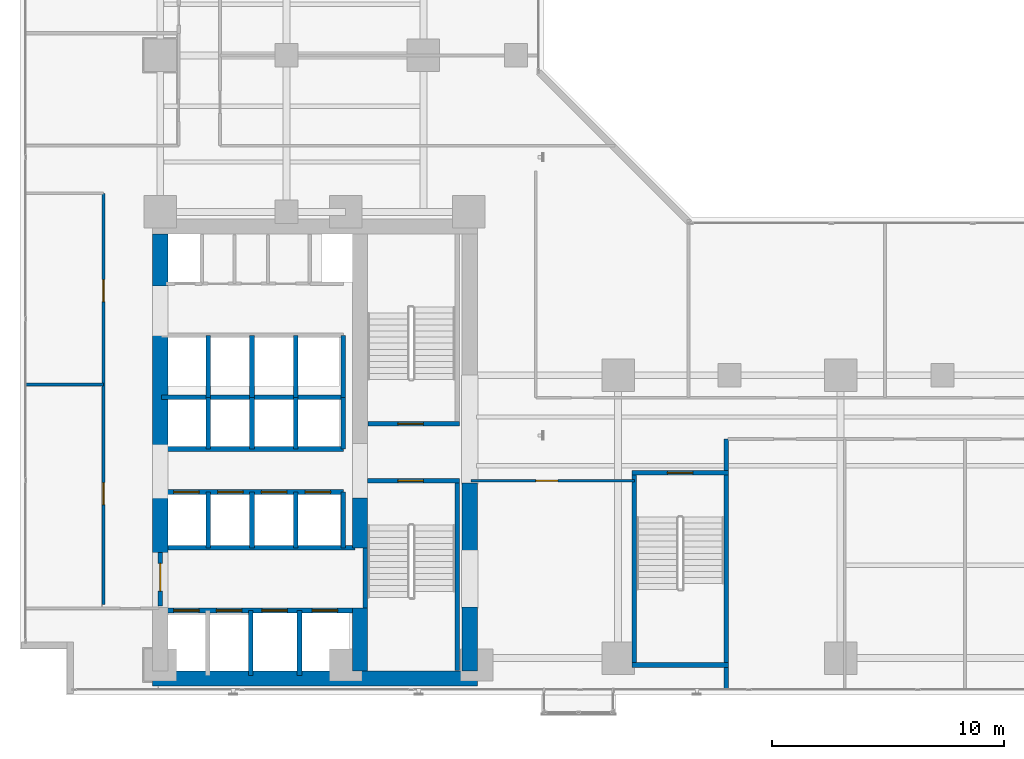
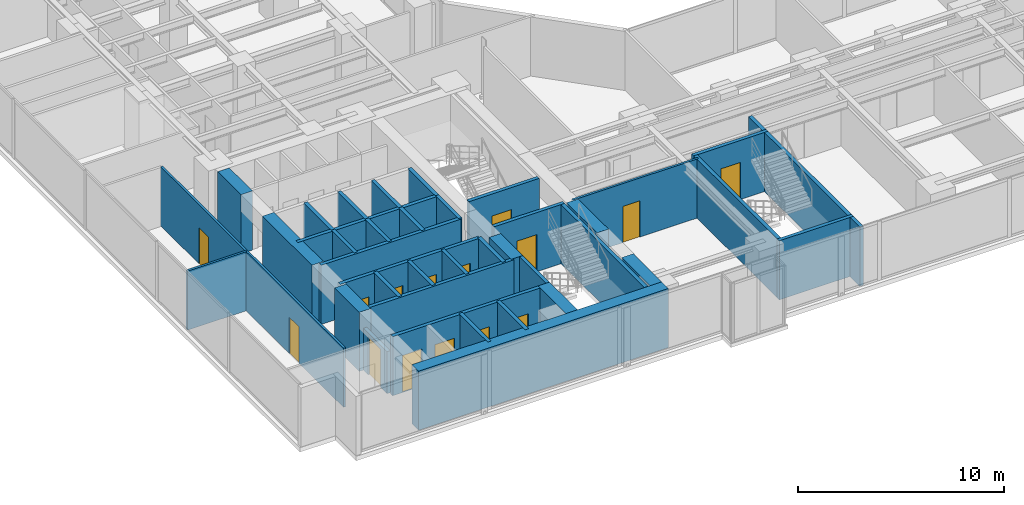
# One storey, part 19 of 25: 39 walls, 15 doors, 15 openings.
"""IFC4 building model written with IfcOpenShell, lengths in metres."""

from ifc_helpers import new_model, si_unit, direction, frame, frame_2d, origin, place, context, subcontext, project, spatial, rectangle, extrude, material, layer, layer_set, type_object, element, fill, save


model = new_model("IFC4")

# Units and contexts
model_context = context("Model", 3, precision=1e-05, world=origin(), true_north=direction((0.0, 1.0)))
body_context = subcontext(model_context, "Body", "Model", "MODEL_VIEW")
ifc_project = project(units=[si_unit("LENGTHUNIT", "METRE"), si_unit("AREAUNIT", "SQUARE_METRE"), si_unit("VOLUMEUNIT", "CUBIC_METRE"), si_unit("PLANEANGLEUNIT", "RADIAN"), si_unit("MASSUNIT", "GRAM", prefix="KILO")], contexts=[model_context])

# Site, building, storey
site_placement = place(None, origin())
site = spatial("IfcSite", under=ifc_project, at=site_placement, CompositionType="ELEMENT")
building_placement = place(site_placement, origin())
building = spatial("IfcBuilding", under=site, at=building_placement, Name="Kolvaren Waterfront Exchange", CompositionType="ELEMENT")
storey_placement = place(building_placement, frame((0.0, 0.0, 106.89990234375)))
storey = spatial("IfcBuildingStorey", under=building, at=storey_placement, Name="L27", CompositionType="ELEMENT", Elevation=106.89990234375)

# Wall, opening, door
ifc_material_1 = material(Name="Precast concrete C40/50", Category="concrete")
ifc_layer_1 = layer(ifc_material_1, 0.199951171875, Name="Precast concrete C40/50")
ifc_layer_set_1 = layer_set([ifc_layer_1], Name="Precast concrete C40/50")
wall_type_1 = type_object("IfcWallType", Name="ARC-FIRE-200", PredefinedType="PARTITIONING", material=ifc_layer_set_1)
wall_1_placement = place(storey_placement, frame((16.39990234375, 12.85009765625, 0.0), z_axis=(0.0, 0.0, 1.0), x_axis=(1.0, 0.0, 0.0)))
wall_1 = element("IfcWall", 1, at=wall_1_placement, inside=storey, type_object=wall_type_1, Name="L27 interior wall PW-L27-ST1-THROAT-S", PredefinedType="PARTITIONING", context=body_context, shape_type="SweptSolid", body=[
    extrude(rectangle(XDim=3.960205078125, YDim=0.199951171875, at=frame_2d((1.97998046875, 0.0))), origin(), (0.0, 0.0, 1.0), 3.5),
])
opening_1_placement = place(wall_1_placement, frame((1.3037109375, 0.0, 0.0)))
opening_1 = element("IfcOpeningElement", 2, at=opening_1_placement, cuts=wall_1, Name="Opening FD2", PredefinedType="OPENING", context=body_context, shape_type="SweptSolid", body=[
    extrude(rectangle(XDim=1.10009765625, YDim=2.199951171875, at=frame_2d((0.550048828125, 1.10009765625))), frame((0.0, 0.10986328125, 0.0), z_axis=(0.0, -1.0, 0.0), x_axis=(1.0, 0.0, 0.0)), (0.0, 0.0, 1.0), 0.219970703125),
])
ifc_material_2 = material(Name="Pressed steel smoke-seal fire door", Category="steel")
door_type_1 = type_object("IfcDoorType", Name="ARC-FD-1100", OperationType="NOTDEFINED", PredefinedType="DOOR", material=ifc_material_2)
door_1_placement = place(opening_1_placement, frame((1.10009765625, 0.0, 0.0), z_axis=(0.0, 0.0, 1.0), x_axis=(-1.0, 0.0, 0.0)))
door_1 = element("IfcDoor", 3, at=door_1_placement, inside=storey, type_object=door_type_1, Name="L27 door DR-L27-ST1-IN (FD2)", OperationType="SINGLE_SWING_LEFT", OverallHeight=2.199951171875, OverallWidth=1.10009765625, PredefinedType="DOOR", context=body_context, shape_type="SweptSolid", body=[
    extrude(rectangle(XDim=1.10009765625, YDim=2.199951171875, at=frame_2d((0.550048828125, 1.10009765625))), frame((0.0, 0.02490234375, 0.0), z_axis=(0.0, -1.0, 0.0), x_axis=(1.0, 0.0, 0.0)), (0.0, 0.0, 1.0), 0.050048828125),
])
fill(opening_1, door_1)

wall_2_placement = place(storey_placement, frame((16.409912109375, 15.300048828125, 0.0), z_axis=(0.0, 0.0, 1.0), x_axis=(1.0, 0.0, 0.0)))
wall_2 = element("IfcWall", 4, at=wall_2_placement, inside=storey, type_object=wall_type_1, Name="L27 interior wall PW-L27-ST2-THROAT-N", PredefinedType="PARTITIONING", context=body_context, shape_type="SweptSolid", body=[
    extrude(rectangle(XDim=3.9501953125, YDim=0.199951171875, at=frame_2d((1.97509765625, 0.0))), origin(), (0.0, 0.0, 1.0), 3.5),
])
opening_2_placement = place(wall_2_placement, frame((1.293701171875, 0.0, 0.0)))
opening_2 = element("IfcOpeningElement", 5, at=opening_2_placement, cuts=wall_2, Name="Opening FD2", PredefinedType="OPENING", context=body_context, shape_type="SweptSolid", body=[
    extrude(rectangle(XDim=1.10009765625, YDim=2.199951171875, at=frame_2d((0.550048828125, 1.10009765625))), frame((0.0, 0.10986328125, 0.0), z_axis=(0.0, -1.0, 0.0), x_axis=(1.0, 0.0, 0.0)), (0.0, 0.0, 1.0), 0.219970703125),
])
door_2_placement = place(opening_2_placement, origin())
door_2 = element("IfcDoor", 6, at=door_2_placement, inside=storey, type_object=door_type_1, Name="L27 door DR-L27-ST2-IN (FD2)", OperationType="SINGLE_SWING_RIGHT", OverallHeight=2.199951171875, OverallWidth=1.10009765625, PredefinedType="DOOR", context=body_context, shape_type="SweptSolid", body=[
    extrude(rectangle(XDim=1.10009765625, YDim=2.199951171875, at=frame_2d((0.550048828125, 1.10009765625))), frame((0.0, 0.02490234375, 0.0), z_axis=(0.0, -1.0, 0.0), x_axis=(1.0, 0.0, 0.0)), (0.0, 0.0, 1.0), 0.050048828125),
])
fill(opening_2, door_2)

# Wall
wall_3_placement = place(storey_placement, frame((7.5, 9.949951171875, 0.0), z_axis=(0.0, 0.0, 1.0), x_axis=(1.0, 0.0, 0.0)))
element("IfcWall", 7, at=wall_3_placement, inside=storey, type_object=wall_type_1, Name="L27 interior wall PW-L27-FF-N", PredefinedType="PARTITIONING", context=body_context, shape_type="SweptSolid", body=[
    extrude(rectangle(XDim=8.35009765625, YDim=0.199951171875, at=frame_2d((4.175048828125, 0.0))), origin(), (0.0, 0.0, 1.0), 3.5),
])

# Wall, opening, door
wall_4_placement = place(storey_placement, frame((7.449951171875, 7.449951171875, 0.0), z_axis=(0.0, 0.0, 1.0), x_axis=(0.0, 1.0, 0.0)))
wall_4 = element("IfcWall", 8, at=wall_4_placement, inside=storey, type_object=wall_type_1, Name="L27 interior wall PW-L27-FF-W-DOOR", PredefinedType="PARTITIONING", context=body_context, shape_type="SweptSolid", body=[
    extrude(rectangle(XDim=2.300048828125, YDim=0.199951171875, at=frame_2d((1.14990234375, 0.0))), origin(), (0.0, 0.0, 1.0), 2.47998046875),
])
opening_3_placement = place(wall_4_placement, frame((0.63330078125, 0.0, 0.0)))
opening_3 = element("IfcOpeningElement", 9, at=opening_3_placement, cuts=wall_4, Name="Opening FD3", PredefinedType="OPENING", context=body_context, shape_type="SweptSolid", body=[
    extrude(rectangle(XDim=1.199951171875, YDim=2.25, at=frame_2d((0.60009765625, 1.125))), frame((0.0, 0.10986328125, 0.0), z_axis=(0.0, -1.0, 0.0), x_axis=(1.0, 0.0, 0.0)), (0.0, 0.0, 1.0), 0.219970703125),
])
ifc_material_3 = material(Name="Pressed steel fire door", Category="steel")
door_type_2 = type_object("IfcDoorType", Name="ARC-FD-1200", OperationType="NOTDEFINED", PredefinedType="DOOR", material=ifc_material_3)
door_3_placement = place(opening_3_placement, frame((1.199951171875, 0.0, 0.0), z_axis=(0.0, 0.0, 1.0), x_axis=(-1.0, 0.0, 0.0)))
door_3 = element("IfcDoor", 10, at=door_3_placement, inside=storey, type_object=door_type_2, Name="L27 door DR-L27-FF-OUT (FD3)", OperationType="SINGLE_SWING_RIGHT", OverallHeight=2.25, OverallWidth=1.199951171875, PredefinedType="DOOR", context=body_context, shape_type="SweptSolid", body=[
    extrude(rectangle(XDim=1.199951171875, YDim=2.25, at=frame_2d((0.60009765625, 1.125))), frame((0.0, 0.02490234375, 0.0), z_axis=(0.0, -1.0, 0.0), x_axis=(1.0, 0.0, 0.0)), (0.0, 0.0, 1.0), 0.050048828125),
])
fill(opening_3, door_3)

# Wall, openings, doors
ifc_material_4 = material(Name="Acoustic gypsum steel stud", Category="steel")
ifc_layer_2 = layer(ifc_material_4, 0.125, Name="Acoustic gypsum steel stud")
ifc_layer_set_2 = layer_set([ifc_layer_2], Name="Acoustic gypsum steel stud")
wall_type_2 = type_object("IfcWallType", Name="ARC-PART-125", PredefinedType="PARTITIONING", material=ifc_layer_set_2)
wall_5_placement = place(storey_placement, frame((5.0, 7.5, 0.0), z_axis=(0.0, 0.0, 1.0), x_axis=(0.0, 1.0, 0.0)))
wall_5 = element("IfcWall", 11, at=wall_5_placement, inside=storey, type_object=wall_type_2, Name="L27 interior wall PW-L27-WFLANK-E", PredefinedType="PARTITIONING", context=body_context, shape_type="SweptSolid", body=[
    extrude(rectangle(XDim=17.75, YDim=0.125, at=frame_2d((8.875, 0.0))), origin(), (0.0, 0.0, 1.0), 3.5),
])
opening_4_placement = place(wall_5_placement, frame((4.320068359375, 0.0, 0.0)))
opening_4 = element("IfcOpeningElement", 12, at=opening_4_placement, cuts=wall_5, Name="Opening D02", PredefinedType="OPENING", context=body_context, shape_type="SweptSolid", body=[
    extrude(rectangle(XDim=0.949951171875, YDim=2.14990234375, at=frame_2d((0.47509765625, 1.074951171875))), frame((0.0, 0.072509765625, 0.0), z_axis=(0.0, -1.0, 0.0), x_axis=(1.0, 0.0, 0.0)), (0.0, 0.0, 1.0), 0.14501953125),
])
opening_5_placement = place(wall_5_placement, frame((13.078857421875, 0.0, 0.0)))
opening_5 = element("IfcOpeningElement", 13, at=opening_5_placement, cuts=wall_5, Name="Opening D02", PredefinedType="OPENING", context=body_context, shape_type="SweptSolid", body=[
    extrude(rectangle(XDim=0.949951171875, YDim=2.14990234375, at=frame_2d((0.47509765625, 1.074951171875))), frame((0.0, 0.072509765625, 0.0), z_axis=(0.0, -1.0, 0.0), x_axis=(1.0, 0.0, 0.0)), (0.0, 0.0, 1.0), 0.14501953125),
])
ifc_material_5 = material(Name="Oak veneer acoustic timber", Category="wood")
door_type_3 = type_object("IfcDoorType", Name="ARC-DR-950", OperationType="NOTDEFINED", PredefinedType="DOOR", material=ifc_material_5)
door_4_placement = place(opening_4_placement, origin())
door_4 = element("IfcDoor", 14, at=door_4_placement, inside=storey, type_object=door_type_3, Name="L27 door DR-L27-WFL1-D (D02)", OperationType="SINGLE_SWING_RIGHT", OverallHeight=2.14990234375, OverallWidth=0.949951171875, PredefinedType="DOOR", context=body_context, shape_type="SweptSolid", body=[
    extrude(rectangle(XDim=0.949951171875, YDim=2.14990234375, at=frame_2d((0.47509765625, 1.074951171875))), frame((0.0, 0.02490234375, 0.0), z_axis=(0.0, -1.0, 0.0), x_axis=(1.0, 0.0, 0.0)), (0.0, 0.0, 1.0), 0.050048828125),
])
fill(opening_4, door_4)
door_5_placement = place(opening_5_placement, origin())
door_5 = element("IfcDoor", 15, at=door_5_placement, inside=storey, type_object=door_type_3, Name="L27 door DR-L27-WFL2-D (D02)", OperationType="SINGLE_SWING_LEFT", OverallHeight=2.14990234375, OverallWidth=0.949951171875, PredefinedType="DOOR", context=body_context, shape_type="SweptSolid", body=[
    extrude(rectangle(XDim=0.949951171875, YDim=2.14990234375, at=frame_2d((0.47509765625, 1.074951171875))), frame((0.0, 0.02490234375, 0.0), z_axis=(0.0, -1.0, 0.0), x_axis=(1.0, 0.0, 0.0)), (0.0, 0.0, 1.0), 0.050048828125),
])
fill(opening_5, door_5)

# Wall
wall_6_placement = place(storey_placement, frame((1.639892578125, 17.0, 0.0), z_axis=(0.0, 0.0, 1.0), x_axis=(1.0, 0.0, 0.0)))
element("IfcWall", 16, at=wall_6_placement, inside=storey, type_object=wall_type_2, Name="L27 interior wall PW-L27-WFLANK-MID", PredefinedType="PARTITIONING", context=body_context, shape_type="SweptSolid", body=[
    extrude(rectangle(XDim=3.360107421875, YDim=0.125, at=frame_2d((1.68017578125, 0.0))), origin(), (0.0, 0.0, 1.0), 3.5),
])

# Wall, opening, door
wall_7_placement = place(storey_placement, frame((20.85009765625, 12.85009765625, 0.0), z_axis=(0.0, 0.0, 1.0), x_axis=(1.0, 0.0, 0.0)))
wall_7 = element("IfcWall", 17, at=wall_7_placement, inside=storey, type_object=wall_type_2, Name="L27 interior wall PW-L27-SWST3-N", PredefinedType="PARTITIONING", context=body_context, shape_type="SweptSolid", body=[
    extrude(rectangle(XDim=7.0498046875, YDim=0.125, at=frame_2d((3.52490234375, 0.0))), origin(), (0.0, 0.0, 1.0), 3.5),
])
opening_6_placement = place(wall_7_placement, frame((2.800048828125, 0.0, 0.0)))
opening_6 = element("IfcOpeningElement", 18, at=opening_6_placement, cuts=wall_7, Name="Opening D02", PredefinedType="OPENING", context=body_context, shape_type="SweptSolid", body=[
    extrude(rectangle(XDim=0.949951171875, YDim=2.14990234375, at=frame_2d((0.47509765625, 1.074951171875))), frame((0.0, 0.072509765625, 0.0), z_axis=(0.0, -1.0, 0.0), x_axis=(1.0, 0.0, 0.0)), (0.0, 0.0, 1.0), 0.14501953125),
])
door_6_placement = place(opening_6_placement, origin())
door_6 = element("IfcDoor", 19, at=door_6_placement, inside=storey, type_object=door_type_3, Name="L27 door DR-L27-SWST3-D (D02)", OperationType="SINGLE_SWING_RIGHT", OverallHeight=2.14990234375, OverallWidth=0.949951171875, PredefinedType="DOOR", context=body_context, shape_type="SweptSolid", body=[
    extrude(rectangle(XDim=0.949951171875, YDim=2.14990234375, at=frame_2d((0.47509765625, 1.074951171875))), frame((0.0, 0.02490234375, 0.0), z_axis=(0.0, -1.0, 0.0), x_axis=(1.0, 0.0, 0.0)), (0.0, 0.0, 1.0), 0.050048828125),
])
fill(opening_6, door_6)

# Walls
ifc_material_6 = material(Name="Concrete C40/50", Category="concrete")
ifc_layer_3 = layer(ifc_material_6, 0.199951171875, Name="Concrete C40/50")
ifc_layer_set_3 = layer_set([ifc_layer_3], Name="Concrete C40/50")
wall_type_3 = type_object("IfcWallType", Name="ARC-SHAFT-200", PredefinedType="PARTITIONING", material=ifc_layer_set_3)
wall_8_placement = place(storey_placement, frame((16.300048828125, 7.360107421875, 0.0), z_axis=(0.0, 0.0, 1.0), x_axis=(0.0, 1.0, 0.0)))
element("IfcWall", 20, at=wall_8_placement, inside=storey, type_object=wall_type_3, Name="L27 structural stairwell wall PW-L27-ST1-W", PredefinedType="SHEAR", context=body_context, shape_type="SweptSolid", body=[
    extrude(rectangle(XDim=2.579833984375, YDim=0.199951171875, at=frame_2d((1.2900390625, 0.0))), origin(), (0.0, 0.0, 1.0), 3.5),
])
wall_9_placement = place(storey_placement, frame((20.260009765625, 4.659912109375, 0.0), z_axis=(0.0, 0.0, 1.0), x_axis=(0.0, 1.0, 0.0)))
element("IfcWall", 21, at=wall_9_placement, inside=storey, type_object=wall_type_3, Name="L27 structural stairwell wall PW-L27-ST1-E", PredefinedType="SHEAR", context=body_context, shape_type="SweptSolid", body=[
    extrude(rectangle(XDim=8.090087890625, YDim=0.199951171875, at=frame_2d((4.044921875, 0.0))), origin(), (0.0, 0.0, 1.0), 3.5),
])
wall_10_placement = place(storey_placement, frame((27.89990234375, 5.0, 0.0), z_axis=(0.0, 0.0, 1.0), x_axis=(0.0, 1.0, 0.0)))
element("IfcWall", 22, at=wall_10_placement, inside=storey, type_object=wall_type_3, Name="L27 structural stairwell wall PW-L27-ST3-W", PredefinedType="SHEAR", context=body_context, shape_type="SweptSolid", body=[
    extrude(rectangle(XDim=8.10009765625, YDim=0.199951171875, at=frame_2d((4.050048828125, 0.0))), origin(), (0.0, 0.0, 1.0), 3.5),
])
wall_11_placement = place(storey_placement, frame((31.860107421875, 3.840087890625, 0.0), z_axis=(0.0, 0.0, 1.0), x_axis=(0.0, 1.0, 0.0)))
element("IfcWall", 23, at=wall_11_placement, inside=storey, type_object=wall_type_3, Name="L27 structural stairwell wall PW-L27-ST3-E", PredefinedType="SHEAR", context=body_context, shape_type="SweptSolid", body=[
    extrude(rectangle(XDim=10.809814453125, YDim=0.199951171875, at=frame_2d((5.40478515625, 0.0))), origin(), (0.0, 0.0, 1.0), 3.5),
])
wall_12_placement = place(storey_placement, frame((27.800048828125, 4.89990234375, 0.0), z_axis=(0.0, 0.0, 1.0), x_axis=(1.0, 0.0, 0.0)))
element("IfcWall", 24, at=wall_12_placement, inside=storey, type_object=wall_type_3, Name="L27 structural stairwell wall PW-L27-ST3-S", PredefinedType="SHEAR", context=body_context, shape_type="SweptSolid", body=[
    extrude(rectangle(XDim=4.159912109375, YDim=0.199951171875, at=frame_2d((2.080078125, 0.0))), origin(), (0.0, 0.0, 1.0), 3.5),
])

# Wall, opening, door
wall_13_placement = place(storey_placement, frame((27.800048828125, 13.199951171875, 0.0), z_axis=(0.0, 0.0, 1.0), x_axis=(1.0, 0.0, 0.0)))
wall_13 = element("IfcWall", 25, at=wall_13_placement, inside=storey, type_object=wall_type_3, Name="L27 structural stairwell wall PW-L27-ST3-N", PredefinedType="SHEAR", context=body_context, shape_type="SweptSolid", body=[
    extrude(rectangle(XDim=4.159912109375, YDim=0.199951171875, at=frame_2d((2.080078125, 0.0))), origin(), (0.0, 0.0, 1.0), 3.5),
])
opening_7_placement = place(wall_13_placement, frame((1.530029296875, 0.0, 0.0)))
opening_7 = element("IfcOpeningElement", 26, at=opening_7_placement, cuts=wall_13, Name="Opening FD2", PredefinedType="OPENING", context=body_context, shape_type="SweptSolid", body=[
    extrude(rectangle(XDim=1.10009765625, YDim=2.199951171875, at=frame_2d((0.550048828125, 1.10009765625))), frame((0.0, 0.10986328125, 0.0), z_axis=(0.0, -1.0, 0.0), x_axis=(1.0, 0.0, 0.0)), (0.0, 0.0, 1.0), 0.219970703125),
])
door_7_placement = place(opening_7_placement, frame((1.10009765625, 0.0, 0.0), z_axis=(0.0, 0.0, 1.0), x_axis=(-1.0, 0.0, 0.0)))
door_7 = element("IfcDoor", 27, at=door_7_placement, inside=storey, type_object=door_type_1, Name="L27 door DR-L27-ST3-IN (FD2)", OperationType="SINGLE_SWING_LEFT", OverallHeight=2.199951171875, OverallWidth=1.10009765625, PredefinedType="DOOR", context=body_context, shape_type="SweptSolid", body=[
    extrude(rectangle(XDim=1.10009765625, YDim=2.199951171875, at=frame_2d((0.550048828125, 1.10009765625))), frame((0.0, 0.02490234375, 0.0), z_axis=(0.0, -1.0, 0.0), x_axis=(1.0, 0.0, 0.0)), (0.0, 0.0, 1.0), 0.050048828125),
])
fill(opening_7, door_7)

# Wall, openings, doors
wall_14_placement = place(storey_placement, frame((7.5, 7.25, 0.0), z_axis=(0.0, 0.0, 1.0), x_axis=(1.0, 0.0, 0.0)))
wall_14 = element("IfcWall", 28, at=wall_14_placement, inside=storey, type_object=wall_type_3, Name="L27 interior wall PW-L27-FF-S", PredefinedType="PARTITIONING", context=body_context, shape_type="SweptSolid", body=[
    extrude(rectangle(XDim=8.35009765625, YDim=0.199951171875, at=frame_2d((4.175048828125, 0.0))), origin(), (0.0, 0.0, 1.0), 3.5),
])
opening_8_placement = place(wall_14_placement, frame((0.530029296875, 0.0, 0.0)))
opening_8 = element("IfcOpeningElement", 29, at=opening_8_placement, cuts=wall_14, Name="Opening LD1", PredefinedType="OPENING", context=body_context, shape_type="SweptSolid", body=[
    extrude(rectangle(XDim=1.10009765625, YDim=2.199951171875, at=frame_2d((0.550048828125, 1.10009765625))), frame((0.0, 0.10986328125, 0.0), z_axis=(0.0, -1.0, 0.0), x_axis=(1.0, 0.0, 0.0)), (0.0, 0.0, 1.0), 0.219970703125),
])
opening_9_placement = place(wall_14_placement, frame((2.3701171875, 0.0, 0.0)))
opening_9 = element("IfcOpeningElement", 30, at=opening_9_placement, cuts=wall_14, Name="Opening LD1", PredefinedType="OPENING", context=body_context, shape_type="SweptSolid", body=[
    extrude(rectangle(XDim=1.10009765625, YDim=2.199951171875, at=frame_2d((0.550048828125, 1.10009765625))), frame((0.0, 0.10986328125, 0.0), z_axis=(0.0, -1.0, 0.0), x_axis=(1.0, 0.0, 0.0)), (0.0, 0.0, 1.0), 0.219970703125),
])
opening_10_placement = place(wall_14_placement, frame((4.330078125, 0.0, 0.0)))
opening_10 = element("IfcOpeningElement", 31, at=opening_10_placement, cuts=wall_14, Name="Opening LD1", PredefinedType="OPENING", context=body_context, shape_type="SweptSolid", body=[
    extrude(rectangle(XDim=1.10009765625, YDim=2.199951171875, at=frame_2d((0.550048828125, 1.10009765625))), frame((0.0, 0.10986328125, 0.0), z_axis=(0.0, -1.0, 0.0), x_axis=(1.0, 0.0, 0.0)), (0.0, 0.0, 1.0), 0.219970703125),
])
opening_11_placement = place(wall_14_placement, frame((6.5, 0.0, 0.0)))
opening_11 = element("IfcOpeningElement", 32, at=opening_11_placement, cuts=wall_14, Name="Opening LD1", PredefinedType="OPENING", context=body_context, shape_type="SweptSolid", body=[
    extrude(rectangle(XDim=1.10009765625, YDim=2.199951171875, at=frame_2d((0.550048828125, 1.10009765625))), frame((0.0, 0.10986328125, 0.0), z_axis=(0.0, -1.0, 0.0), x_axis=(1.0, 0.0, 0.0)), (0.0, 0.0, 1.0), 0.219970703125),
])
ifc_material_7 = material(Name="Stainless steel sliding landing door", Category="steel")
door_type_4 = type_object("IfcDoorType", Name="ARC-LD-FF", OperationType="SLIDING_TO_LEFT", PredefinedType="DOOR", material=ifc_material_7)
door_8_placement = place(opening_8_placement, origin())
door_8 = element("IfcDoor", 33, at=door_8_placement, inside=storey, type_object=door_type_4, Name="L27 door LD-L27-FFL1 (LD1)", OperationType="SLIDING_TO_LEFT", OverallHeight=2.199951171875, OverallWidth=1.10009765625, PredefinedType="DOOR", context=body_context, shape_type="SweptSolid", body=[
    extrude(rectangle(XDim=1.10009765625, YDim=2.199951171875, at=frame_2d((0.550048828125, 1.10009765625))), frame((0.0, 0.02490234375, 0.0), z_axis=(0.0, -1.0, 0.0), x_axis=(1.0, 0.0, 0.0)), (0.0, 0.0, 1.0), 0.050048828125),
])
fill(opening_8, door_8)
door_9_placement = place(opening_9_placement, origin())
door_9 = element("IfcDoor", 34, at=door_9_placement, inside=storey, type_object=door_type_4, Name="L27 door LD-L27-FFL2 (LD1)", OperationType="SLIDING_TO_LEFT", OverallHeight=2.199951171875, OverallWidth=1.10009765625, PredefinedType="DOOR", context=body_context, shape_type="SweptSolid", body=[
    extrude(rectangle(XDim=1.10009765625, YDim=2.199951171875, at=frame_2d((0.550048828125, 1.10009765625))), frame((0.0, 0.02490234375, 0.0), z_axis=(0.0, -1.0, 0.0), x_axis=(1.0, 0.0, 0.0)), (0.0, 0.0, 1.0), 0.050048828125),
])
fill(opening_9, door_9)
door_10_placement = place(opening_10_placement, origin())
door_10 = element("IfcDoor", 35, at=door_10_placement, inside=storey, type_object=door_type_4, Name="L27 door LD-L27-GL1 (LD1)", OperationType="SLIDING_TO_LEFT", OverallHeight=2.199951171875, OverallWidth=1.10009765625, PredefinedType="DOOR", context=body_context, shape_type="SweptSolid", body=[
    extrude(rectangle(XDim=1.10009765625, YDim=2.199951171875, at=frame_2d((0.550048828125, 1.10009765625))), frame((0.0, 0.02490234375, 0.0), z_axis=(0.0, -1.0, 0.0), x_axis=(1.0, 0.0, 0.0)), (0.0, 0.0, 1.0), 0.050048828125),
])
fill(opening_10, door_10)
door_11_placement = place(opening_11_placement, origin())
door_11 = element("IfcDoor", 36, at=door_11_placement, inside=storey, type_object=door_type_4, Name="L27 door LD-L27-GL2 (LD1)", OperationType="SLIDING_TO_LEFT", OverallHeight=2.199951171875, OverallWidth=1.10009765625, PredefinedType="DOOR", context=body_context, shape_type="SweptSolid", body=[
    extrude(rectangle(XDim=1.10009765625, YDim=2.199951171875, at=frame_2d((0.550048828125, 1.10009765625))), frame((0.0, 0.02490234375, 0.0), z_axis=(0.0, -1.0, 0.0), x_axis=(1.0, 0.0, 0.0)), (0.0, 0.0, 1.0), 0.050048828125),
])
fill(opening_11, door_11)

# Walls
for number, where, z_axis, x_axis, name in (
    (37, (11.360107421875, 4.449951171875, 0.0), (0.0, 0.0, 1.0), (0.0, 1.0, 0.0), "L27 interior wall PW-L27-SH1-DIV-113"),
    (38, (13.4599609375, 4.449951171875, 0.0), (0.0, 0.0, 1.0), (0.0, 1.0, 0.0), "L27 interior wall PW-L27-SH1-DIV-134"),
):
    element("IfcWall", number, at=place(storey_placement, frame(where, z_axis=z_axis, x_axis=x_axis)), inside=storey, type_object=wall_type_3, Name=name, PredefinedType="PARTITIONING", context=body_context, shape_type="SweptSolid", body=[
        extrude(rectangle(XDim=2.800048828125, YDim=0.199951171875, at=frame_2d((1.39990234375, 0.0))), origin(), (0.0, 0.0, 1.0), 3.5),
    ])

# Wall, openings, doors
wall_15_placement = place(storey_placement, frame((7.5, 12.360107421875, 0.0), z_axis=(0.0, 0.0, 1.0), x_axis=(1.0, 0.0, 0.0)))
wall_15 = element("IfcWall", 39, at=wall_15_placement, inside=storey, type_object=wall_type_3, Name="L27 interior wall PW-L27-PL-N", PredefinedType="PARTITIONING", context=body_context, shape_type="SweptSolid", body=[
    extrude(rectangle(XDim=7.85009765625, YDim=0.199951171875, at=frame_2d((3.925048828125, 0.0))), origin(), (0.0, 0.0, 1.0), 3.5),
])
opening_12_placement = place(wall_15_placement, frame((0.530029296875, 0.0, 0.0)))
opening_12 = element("IfcOpeningElement", 40, at=opening_12_placement, cuts=wall_15, Name="Opening LD2", PredefinedType="OPENING", context=body_context, shape_type="SweptSolid", body=[
    extrude(rectangle(XDim=1.10009765625, YDim=2.199951171875, at=frame_2d((0.550048828125, 1.10009765625))), frame((0.0, 0.10986328125, 0.0), z_axis=(0.0, -1.0, 0.0), x_axis=(1.0, 0.0, 0.0)), (0.0, 0.0, 1.0), 0.219970703125),
])
opening_13_placement = place(wall_15_placement, frame((2.419921875, 0.0, 0.0)))
opening_13 = element("IfcOpeningElement", 41, at=opening_13_placement, cuts=wall_15, Name="Opening LD2", PredefinedType="OPENING", context=body_context, shape_type="SweptSolid", body=[
    extrude(rectangle(XDim=1.10009765625, YDim=2.199951171875, at=frame_2d((0.550048828125, 1.10009765625))), frame((0.0, 0.10986328125, 0.0), z_axis=(0.0, -1.0, 0.0), x_axis=(1.0, 0.0, 0.0)), (0.0, 0.0, 1.0), 0.219970703125),
])
opening_14_placement = place(wall_15_placement, frame((4.31005859375, 0.0, 0.0)))
opening_14 = element("IfcOpeningElement", 42, at=opening_14_placement, cuts=wall_15, Name="Opening LD2", PredefinedType="OPENING", context=body_context, shape_type="SweptSolid", body=[
    extrude(rectangle(XDim=1.10009765625, YDim=2.199951171875, at=frame_2d((0.550048828125, 1.10009765625))), frame((0.0, 0.10986328125, 0.0), z_axis=(0.0, -1.0, 0.0), x_axis=(1.0, 0.0, 0.0)), (0.0, 0.0, 1.0), 0.219970703125),
])
opening_15_placement = place(wall_15_placement, frame((6.199951171875, 0.0, 0.0)))
opening_15 = element("IfcOpeningElement", 43, at=opening_15_placement, cuts=wall_15, Name="Opening LD2", PredefinedType="OPENING", context=body_context, shape_type="SweptSolid", body=[
    extrude(rectangle(XDim=1.10009765625, YDim=2.199951171875, at=frame_2d((0.550048828125, 1.10009765625))), frame((0.0, 0.10986328125, 0.0), z_axis=(0.0, -1.0, 0.0), x_axis=(1.0, 0.0, 0.0)), (0.0, 0.0, 1.0), 0.219970703125),
])
ifc_material_8 = material(Name="Brushed bronze sliding landing door", Category="aluminium")
door_type_5 = type_object("IfcDoorType", Name="ARC-LD-PAX", OperationType="SLIDING_TO_LEFT", PredefinedType="DOOR", material=ifc_material_8)
door_12_placement = place(opening_12_placement, origin())
door_12 = element("IfcDoor", 44, at=door_12_placement, inside=storey, type_object=door_type_5, Name="L27 door LD-L27-PL1 (LD2)", OperationType="SLIDING_TO_LEFT", OverallHeight=2.199951171875, OverallWidth=1.10009765625, PredefinedType="DOOR", context=body_context, shape_type="SweptSolid", body=[
    extrude(rectangle(XDim=1.10009765625, YDim=2.199951171875, at=frame_2d((0.550048828125, 1.10009765625))), frame((0.0, 0.02490234375, 0.0), z_axis=(0.0, -1.0, 0.0), x_axis=(1.0, 0.0, 0.0)), (0.0, 0.0, 1.0), 0.050048828125),
])
fill(opening_12, door_12)
door_13_placement = place(opening_13_placement, origin())
door_13 = element("IfcDoor", 45, at=door_13_placement, inside=storey, type_object=door_type_5, Name="L27 door LD-L27-PL2 (LD2)", OperationType="SLIDING_TO_LEFT", OverallHeight=2.199951171875, OverallWidth=1.10009765625, PredefinedType="DOOR", context=body_context, shape_type="SweptSolid", body=[
    extrude(rectangle(XDim=1.10009765625, YDim=2.199951171875, at=frame_2d((0.550048828125, 1.10009765625))), frame((0.0, 0.02490234375, 0.0), z_axis=(0.0, -1.0, 0.0), x_axis=(1.0, 0.0, 0.0)), (0.0, 0.0, 1.0), 0.050048828125),
])
fill(opening_13, door_13)
door_14_placement = place(opening_14_placement, origin())
door_14 = element("IfcDoor", 46, at=door_14_placement, inside=storey, type_object=door_type_5, Name="L27 door LD-L27-PL3 (LD2)", OperationType="SLIDING_TO_LEFT", OverallHeight=2.199951171875, OverallWidth=1.10009765625, PredefinedType="DOOR", context=body_context, shape_type="SweptSolid", body=[
    extrude(rectangle(XDim=1.10009765625, YDim=2.199951171875, at=frame_2d((0.550048828125, 1.10009765625))), frame((0.0, 0.02490234375, 0.0), z_axis=(0.0, -1.0, 0.0), x_axis=(1.0, 0.0, 0.0)), (0.0, 0.0, 1.0), 0.050048828125),
])
fill(opening_14, door_14)
door_15_placement = place(opening_15_placement, origin())
door_15 = element("IfcDoor", 47, at=door_15_placement, inside=storey, type_object=door_type_5, Name="L27 door LD-L27-PL4 (LD2)", OperationType="SLIDING_TO_LEFT", OverallHeight=2.199951171875, OverallWidth=1.10009765625, PredefinedType="DOOR", context=body_context, shape_type="SweptSolid", body=[
    extrude(rectangle(XDim=1.10009765625, YDim=2.199951171875, at=frame_2d((0.550048828125, 1.10009765625))), frame((0.0, 0.02490234375, 0.0), z_axis=(0.0, -1.0, 0.0), x_axis=(1.0, 0.0, 0.0)), (0.0, 0.0, 1.0), 0.050048828125),
])
fill(opening_15, door_15)

# Walls
for number, where, z_axis, x_axis, name in (
    (48, (15.35009765625, 9.949951171875, 0.0), (0.0, 0.0, 1.0), (0.0, 1.0, 0.0), "L27 interior wall PW-L27-PL-E"),
    (49, (9.52001953125, 9.949951171875, 0.0), (0.0, 0.0, 1.0), (0.0, 1.0, 0.0), "L27 interior wall PW-L27-SH2-DIV-95"),
    (50, (11.409912109375, 9.949951171875, 0.0), (0.0, 0.0, 1.0), (0.0, 1.0, 0.0), "L27 interior wall PW-L27-SH2-DIV-114"),
    (51, (13.300048828125, 9.949951171875, 0.0), (0.0, 0.0, 1.0), (0.0, 1.0, 0.0), "L27 interior wall PW-L27-SH2-DIV-133"),
):
    element("IfcWall", number, at=place(storey_placement, frame(where, z_axis=z_axis, x_axis=x_axis)), inside=storey, type_object=wall_type_3, Name=name, PredefinedType="PARTITIONING", context=body_context, shape_type="SweptSolid", body=[
        extrude(rectangle(XDim=2.41015625, YDim=0.199951171875, at=frame_2d((1.205078125, 0.0))), origin(), (0.0, 0.0, 1.0), 3.5),
    ])
for number, where, z_axis, x_axis, name in (
    (52, (7.5, 14.219970703125, 0.0), (0.0, 0.0, 1.0), (1.0, 0.0, 0.0), "L27 interior wall PW-L27-PM-S"),
    (53, (7.5, 16.449951171875, 0.0), (0.0, 0.0, 1.0), (1.0, 0.0, 0.0), "L27 interior wall PW-L27-PM-N"),
):
    element("IfcWall", number, at=place(storey_placement, frame(where, z_axis=z_axis, x_axis=x_axis)), inside=storey, type_object=wall_type_3, Name=name, PredefinedType="PARTITIONING", context=body_context, shape_type="SweptSolid", body=[
        extrude(rectangle(XDim=7.85009765625, YDim=0.199951171875, at=frame_2d((3.925048828125, 0.0))), origin(), (0.0, 0.0, 1.0), 3.5),
    ])
for number, where, z_axis, x_axis, name in (
    (54, (15.35009765625, 14.219970703125, 0.0), (0.0, 0.0, 1.0), (0.0, 1.0, 0.0), "L27 interior wall PW-L27-PM-E"),
    (55, (9.52001953125, 14.219970703125, 0.0), (0.0, 0.0, 1.0), (0.0, 1.0, 0.0), "L27 interior wall PW-L27-SH3-DIV-95"),
    (56, (11.409912109375, 14.219970703125, 0.0), (0.0, 0.0, 1.0), (0.0, 1.0, 0.0), "L27 interior wall PW-L27-SH3-DIV-114"),
    (57, (13.300048828125, 14.219970703125, 0.0), (0.0, 0.0, 1.0), (0.0, 1.0, 0.0), "L27 interior wall PW-L27-SH3-DIV-133"),
):
    element("IfcWall", number, at=place(storey_placement, frame(where, z_axis=z_axis, x_axis=x_axis)), inside=storey, type_object=wall_type_3, Name=name, PredefinedType="PARTITIONING", context=body_context, shape_type="SweptSolid", body=[
        extrude(rectangle(XDim=2.22998046875, YDim=0.199951171875, at=frame_2d((1.114990234375, 0.0))), origin(), (0.0, 0.0, 1.0), 3.5),
    ])
for number, where, z_axis, x_axis, name in (
    (58, (15.35009765625, 16.449951171875, 0.0), (0.0, 0.0, 1.0), (0.0, 1.0, 0.0), "L27 interior wall PW-L27-PH-E"),
    (59, (9.52001953125, 16.449951171875, 0.0), (0.0, 0.0, 1.0), (0.0, 1.0, 0.0), "L27 interior wall PW-L27-SH4-DIV-95"),
    (60, (11.409912109375, 16.449951171875, 0.0), (0.0, 0.0, 1.0), (0.0, 1.0, 0.0), "L27 interior wall PW-L27-SH4-DIV-114"),
    (61, (13.300048828125, 16.449951171875, 0.0), (0.0, 0.0, 1.0), (0.0, 1.0, 0.0), "L27 interior wall PW-L27-SH4-DIV-133"),
):
    element("IfcWall", number, at=place(storey_placement, frame(where, z_axis=z_axis, x_axis=x_axis)), inside=storey, type_object=wall_type_3, Name=name, PredefinedType="PARTITIONING", context=body_context, shape_type="SweptSolid", body=[
        extrude(rectangle(XDim=2.670166015625, YDim=0.199951171875, at=frame_2d((1.3349609375, 0.0))), origin(), (0.0, 0.0, 1.0), 3.5),
    ])
ifc_material_9 = material(Name="Concrete C60/75", Category="concrete")
ifc_layer_4 = layer(ifc_material_9, 0.64990234375, Name="Concrete C60/75")
ifc_layer_set_4 = layer_set([ifc_layer_4], Name="Concrete C60/75")
wall_type_4 = type_object("IfcWallType", Name="STR-CWALL-650", PredefinedType="SHEAR", material=ifc_layer_set_4)
wall_16_placement = place(storey_placement, frame((7.125, 4.324951171875, 0.0), z_axis=(0.0, 0.0, 1.0), x_axis=(1.0, 0.0, 0.0)))
element("IfcWall", 62, at=wall_16_placement, inside=storey, type_object=wall_type_4, Name="L27 rear-core shear wall S", PredefinedType="SHEAR", context=body_context, shape_type="SweptSolid", body=[
    extrude(rectangle(XDim=14.0, YDim=0.64990234375, at=frame_2d((7.0, 0.0))), origin(), (0.0, 0.0, 1.0), 3.5),
])
wall_17_placement = place(storey_placement, frame((7.449951171875, 9.75, 0.0), z_axis=(0.0, 0.0, 1.0), x_axis=(0.0, 1.0, 0.0)))
element("IfcWall", 63, at=wall_17_placement, inside=storey, type_object=wall_type_4, Name="L27 rear-core shear wall W2A", PredefinedType="SHEAR", context=body_context, shape_type="SweptSolid", body=[
    extrude(rectangle(XDim=2.39990234375, YDim=0.64990234375, at=frame_2d((1.199951171875, 0.0))), origin(), (0.0, 0.0, 1.0), 3.5),
])
wall_18_placement = place(storey_placement, frame((7.449951171875, 14.35009765625, 0.0), z_axis=(0.0, 0.0, 1.0), x_axis=(0.0, 1.0, 0.0)))
element("IfcWall", 64, at=wall_18_placement, inside=storey, type_object=wall_type_4, Name="L27 rear-core shear wall W2B", PredefinedType="SHEAR", context=body_context, shape_type="SweptSolid", body=[
    extrude(rectangle(XDim=4.809814453125, YDim=0.64990234375, at=frame_2d((2.40478515625, 0.0))), origin(), (0.0, 0.0, 1.0), 3.5),
])
wall_19_placement = place(storey_placement, frame((7.449951171875, 21.239990234375, 0.0), z_axis=(0.0, 0.0, 1.0), x_axis=(0.0, 1.0, 0.0)))
element("IfcWall", 65, at=wall_19_placement, inside=storey, type_object=wall_type_4, Name="L27 rear-core shear wall W3", PredefinedType="SHEAR", context=body_context, shape_type="SweptSolid", body=[
    extrude(rectangle(XDim=2.260009765625, YDim=0.64990234375, at=frame_2d((1.1298828125, 0.0))), origin(), (0.0, 0.0, 1.0), 3.5),
])
wall_20_placement = place(storey_placement, frame((20.800048828125, 4.64990234375, 0.0), z_axis=(0.0, 0.0, 1.0), x_axis=(0.0, 1.0, 0.0)))
element("IfcWall", 66, at=wall_20_placement, inside=storey, type_object=wall_type_4, Name="L27 rear-core shear wall E1", PredefinedType="SHEAR", context=body_context, shape_type="SweptSolid", body=[
    extrude(rectangle(XDim=2.75, YDim=0.64990234375, at=frame_2d((1.375, 0.0))), origin(), (0.0, 0.0, 1.0), 3.5),
])
wall_21_placement = place(storey_placement, frame((20.800048828125, 9.800048828125, 0.0), z_axis=(0.0, 0.0, 1.0), x_axis=(0.0, 1.0, 0.0)))
element("IfcWall", 67, at=wall_21_placement, inside=storey, type_object=wall_type_4, Name="L27 rear-core shear wall E2", PredefinedType="SHEAR", context=body_context, shape_type="SweptSolid", body=[
    extrude(rectangle(XDim=2.949951171875, YDim=0.64990234375, at=frame_2d((1.47509765625, 0.0))), origin(), (0.0, 0.0, 1.0), 3.5),
])
wall_22_placement = place(storey_placement, frame((16.074951171875, 4.64990234375, 0.0), z_axis=(0.0, 0.0, 1.0), x_axis=(0.0, 1.0, 0.0)))
element("IfcWall", 68, at=wall_22_placement, inside=storey, type_object=wall_type_4, Name="L27 rear-core shear wall M1", PredefinedType="SHEAR", context=body_context, shape_type="SweptSolid", body=[
    extrude(rectangle(XDim=2.7001953125, YDim=0.64990234375, at=frame_2d((1.35009765625, 0.0))), origin(), (0.0, 0.0, 1.0), 3.5),
])
wall_23_placement = place(storey_placement, frame((16.074951171875, 9.949951171875, 0.0), z_axis=(0.0, 0.0, 1.0), x_axis=(0.0, 1.0, 0.0)))
element("IfcWall", 69, at=wall_23_placement, inside=storey, type_object=wall_type_4, Name="L27 rear-core shear wall M2", PredefinedType="SHEAR", context=body_context, shape_type="SweptSolid", body=[
    extrude(rectangle(XDim=2.150146484375, YDim=0.64990234375, at=frame_2d((1.0751953125, 0.0))), origin(), (0.0, 0.0, 1.0), 3.5),
])

save(model, "model.ifc")
